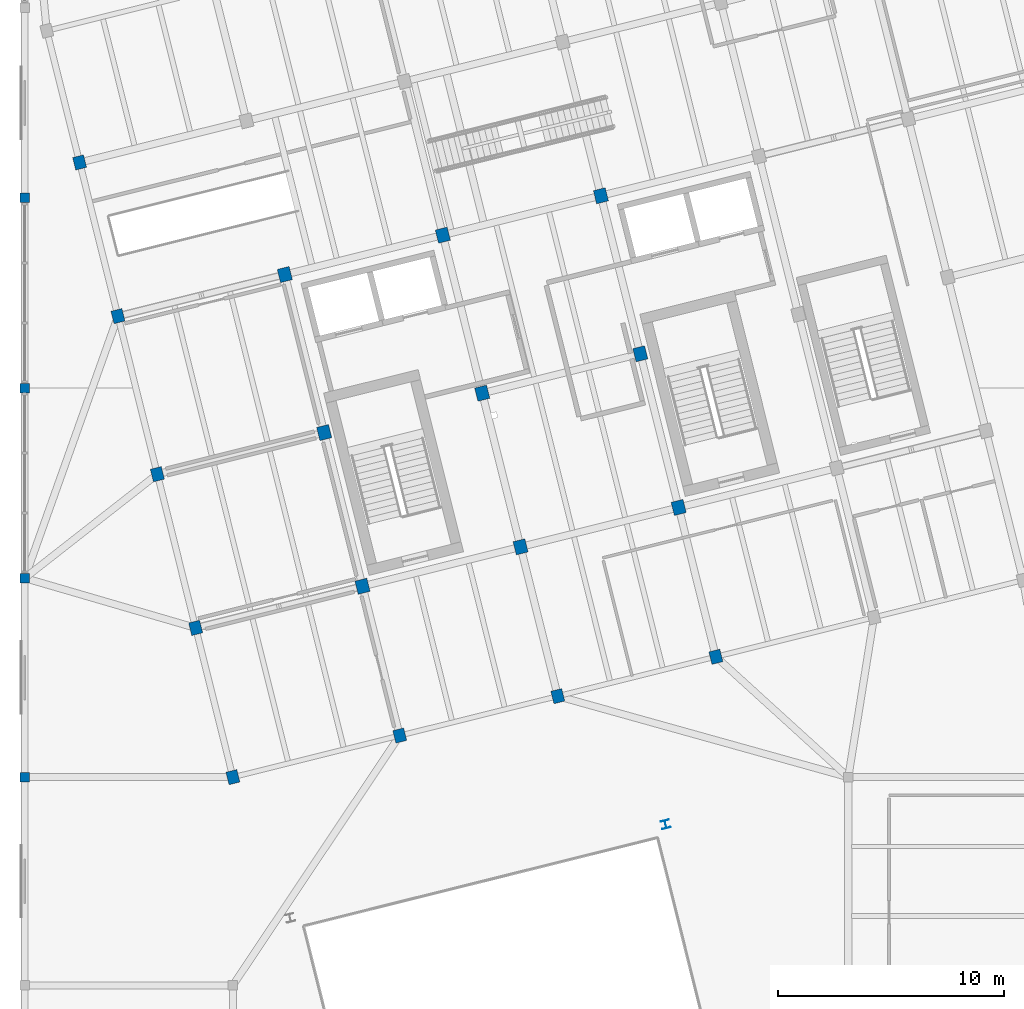
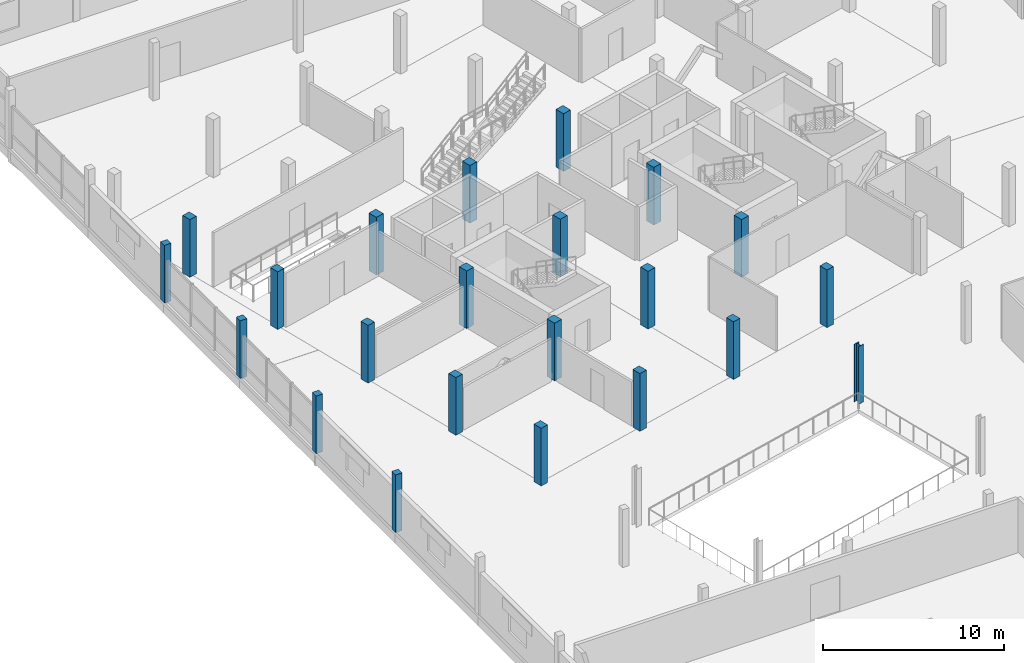
# One storey, part 3 of 47: 22 columns.
"""IFC4 building model written with IfcOpenShell, lengths in metres."""

import ifcopenshell
import ifcopenshell.guid

model = None  # the IFC model being written
_history = None  # IfcOwnerHistory: only IFC2X3 demands one
_inside = {}  # id of a spatial element -> (the spatial element, [elements in it])
_under = {}  # id of a project, library or spatial element -> (it, [spatial elements below it])
_declared = {}  # id of a project -> (the project, [libraries it declares])
_typed = {}  # id of a type object -> (the type object, [elements of that type])
_made_of = {}  # id of a material, layer set ... -> (it, [elements and type objects made of it])


def new_model(schema):
    """Start an empty IFC model of exactly this schema.

    Asked for "IFC4X3", IfcOpenShell would pick the latest addendum, in which some entities
    have other attributes; the version numbers below select the first issue.
    IFC2X3 requires an IfcOwnerHistory on every rooted entity: one is made here for all.
    """
    global model, _history
    if schema == "IFC4X3":
        model = ifcopenshell.file(schema_version=(4, 3, 0, 0))
    else:
        model = ifcopenshell.file(schema=schema)
    _inside.clear()
    _under.clear()
    _declared.clear()
    _typed.clear()
    _made_of.clear()
    _history = None
    if model.schema == "IFC2X3":
        org = make("IfcOrganization", Name="unknown")
        user = make(
            "IfcPersonAndOrganization",
            ThePerson=make("IfcPerson", FamilyName="unknown"),
            TheOrganization=org,
        )
        app = make(
            "IfcApplication",
            ApplicationDeveloper=org,
            Version="unknown",
            ApplicationFullName="unknown",
            ApplicationIdentifier="unknown",
        )
        _history = make(
            "IfcOwnerHistory",
            OwningUser=user,
            OwningApplication=app,
            ChangeAction="ADDED",
            CreationDate=0,
        )
    return model


def make(cls, **values):
    """One entity of the class cls with the attributes given. An attribute that is None is left unset."""
    return model.create_entity(
        cls, **{name: value for name, value in values.items() if value is not None}
    )


def rooted(cls, **values):
    """An entity with a GlobalId (a new one), such as an element, a storey or a relation."""
    return make(cls, GlobalId=ifcopenshell.guid.new(), OwnerHistory=_history, **values)


def si_unit(unit_type, name, prefix=None):
    """IfcSIUnit, for example si_unit("LENGTHUNIT", "METRE", prefix="MILLI")."""
    return make("IfcSIUnit", UnitType=unit_type, Prefix=prefix, Name=name)


def assignment(units):
    """IfcUnitAssignment: the units of a project."""
    return None if units is None else make("IfcUnitAssignment", Units=units)


def point(xyz):
    """IfcCartesianPoint."""
    return None if xyz is None else make("IfcCartesianPoint", Coordinates=xyz)


def direction(xyz):
    """IfcDirection."""
    return None if xyz is None else make("IfcDirection", DirectionRatios=xyz)


def frame(location, z_axis=None, x_axis=None):
    """IfcAxis2Placement3D, a coordinate frame: its origin and axes. An axis left out is left unset."""
    return make(
        "IfcAxis2Placement3D",
        Location=point(location),
        Axis=direction(z_axis),
        RefDirection=direction(x_axis),
    )


def frame_2d(location, x_axis=None):
    """IfcAxis2Placement2D, a coordinate frame in the plane: its origin and x axis."""
    return make(
        "IfcAxis2Placement2D", Location=point(location), RefDirection=direction(x_axis)
    )


def origin():
    """The frame at (0, 0, 0) with its axes left unset."""
    return frame((0.0, 0.0, 0.0))


def origin_2d():
    """The frame at (0, 0) in the plane with its x axis left unset."""
    return frame_2d((0.0, 0.0))


def place(relative_to, where):
    """IfcLocalPlacement: puts the frame where relative to a parent placement (None: the world)."""
    return make(
        "IfcLocalPlacement", PlacementRelTo=relative_to, RelativePlacement=where
    )


def context(
    kind, dimensions, precision=None, world=None, true_north=None, identifier=None
):
    """IfcGeometricRepresentationContext, for example the 3D "Model" context."""
    return make(
        "IfcGeometricRepresentationContext",
        ContextIdentifier=identifier,
        ContextType=kind,
        CoordinateSpaceDimension=dimensions,
        Precision=precision,
        WorldCoordinateSystem=world,
        TrueNorth=true_north,
    )


def subcontext(parent, identifier, kind, view, scale=None):
    """IfcGeometricRepresentationSubContext, for example "Body" below "Model"."""
    return make(
        "IfcGeometricRepresentationSubContext",
        ContextIdentifier=identifier,
        ContextType=kind,
        ParentContext=parent,
        TargetScale=scale,
        TargetView=view,
    )


def project(units=None, contexts=None):
    """IfcProject with its units and contexts."""
    return rooted(
        "IfcProject",
        Name="project",
        RepresentationContexts=contexts,
        UnitsInContext=assignment(units),
    )


def spatial(cls, under=None, at=None, **own):
    """A site, building, storey or space (cls), placed at a placement, below another one or the project."""
    s = rooted(cls, ObjectPlacement=at, **own)
    if under is not None:
        _under.setdefault(under.id(), (under, []))[1].append(s)
    return s


def profile(cls, at=None, kind="AREA", **sizes):
    """A parametric profile (cls). Its sizes go by their IFC names, for example OverallWidth=200.0."""
    return make(cls, ProfileType=kind, Position=at, **sizes)


def rectangle(**sizes):
    """IfcRectangleProfileDef."""
    return profile("IfcRectangleProfileDef", **sizes)


def i_section(**sizes):
    """IfcIShapeProfileDef."""
    return profile("IfcIShapeProfileDef", **sizes)


def extrude(swept, where, along, depth):
    """IfcExtrudedAreaSolid: the profile swept, set in the frame where, extruded along a direction by depth."""
    return make(
        "IfcExtrudedAreaSolid",
        SweptArea=swept,
        Position=where,
        ExtrudedDirection=direction(along),
        Depth=depth,
    )


def shape(context_of_items, identifier, shape_type, items):
    """IfcShapeRepresentation: the items that make up one representation, for example the "Body"."""
    return make(
        "IfcShapeRepresentation",
        ContextOfItems=context_of_items,
        RepresentationIdentifier=identifier,
        RepresentationType=shape_type,
        Items=items,
    )


def material(Name=None, Category=None):
    """IfcMaterial."""
    return make("IfcMaterial", Name=Name, Category=Category)


def material_profile(
    of_material, cross_section, Name=None, Category=None, Priority=None
):
    """IfcMaterialProfile: a cross section and its material."""
    return make(
        "IfcMaterialProfile",
        Name=Name,
        Material=of_material,
        Profile=cross_section,
        Priority=Priority,
        Category=Category,
    )


def profile_set(profiles, Name=None, composite=None):
    """IfcMaterialProfileSet."""
    return make(
        "IfcMaterialProfileSet",
        Name=Name,
        MaterialProfiles=profiles,
        CompositeProfile=composite,
    )


def made_of(thing, what):
    """Note that an element or type object is made of a material, layer set ...; save() writes the relation."""
    if what is not None:
        _made_of.setdefault(what.id(), (what, []))[1].append(thing)
    return thing


def type_object(cls, material=None, **own):
    """A type object (cls), such as IfcWallType, which elements share."""
    return made_of(rooted(cls, **own), material)


def element(
    cls,
    number,
    at=None,
    inside=None,
    cuts=None,
    type_object=None,
    material=None,
    context=None,
    identifier="Body",
    shape_type=None,
    held_by="IfcProductDefinitionShape",
    body=None,
    shapes=None,
    **own,
):
    """One element of the class cls, such as IfcWall. Its Tag is "e" and its number.

    at: its placement. inside: the storey or other place that contains it. cuts: it is an
    opening in that element (IfcRelVoidsElement). A single representation is given by context,
    identifier, shape_type and body (its items); several are given by shapes. held_by: the class
    of the entity that holds the representations. save() writes the other relations.
    """
    e = rooted(cls, Tag="e%d" % number, ObjectPlacement=at, **own)
    if body is not None:
        shapes = [shape(context, identifier, shape_type, body)]
    if shapes is not None:
        e.Representation = make(held_by, Representations=shapes)
    if inside is not None:
        _inside.setdefault(inside.id(), (inside, []))[1].append(e)
    if cuts is not None:
        rooted(
            "IfcRelVoidsElement", RelatingBuildingElement=cuts, RelatedOpeningElement=e
        )
    if type_object is not None:
        _typed.setdefault(type_object.id(), (type_object, []))[1].append(e)
    return made_of(e, material)


def aggregate(whole, parts):
    """IfcRelAggregates: a whole, such as a stair, and the parts it consists of."""
    return rooted("IfcRelAggregates", RelatingObject=whole, RelatedObjects=parts)


def save(model, path):
    """Write the relations noted so far, then the file.

    IfcRelAggregates (storeys below a building ...), IfcRelContainedInSpatialStructure (elements
    in a storey), IfcRelDefinesByType, IfcRelAssociatesMaterial and IfcRelDeclares: one each for
    every whole, place, type object, material and project.
    """
    for whole, parts in _under.values():
        aggregate(whole, parts)
    for where, things in _inside.values():
        rooted(
            "IfcRelContainedInSpatialStructure",
            RelatedElements=things,
            RelatingStructure=where,
        )
    for kind, things in _typed.values():
        rooted("IfcRelDefinesByType", RelatedObjects=things, RelatingType=kind)
    for what, things in _made_of.values():
        rooted("IfcRelAssociatesMaterial", RelatedObjects=things, RelatingMaterial=what)
    for by, libraries in _declared.values():
        rooted("IfcRelDeclares", RelatingContext=by, RelatedDefinitions=libraries)
    model.write(path)


model = new_model("IFC4")

# Units and contexts
model_context = context("Model", 3, precision=1e-05, world=origin(), true_north=direction((0.0, 1.0)))
body_context = subcontext(model_context, "Body", "Model", "MODEL_VIEW")
ifc_project = project(units=[si_unit("LENGTHUNIT", "METRE"), si_unit("AREAUNIT", "SQUARE_METRE"), si_unit("VOLUMEUNIT", "CUBIC_METRE"), si_unit("PLANEANGLEUNIT", "RADIAN"), si_unit("MASSUNIT", "GRAM", prefix="KILO")], contexts=[model_context])

# Site, building, storey
site_placement = place(None, origin())
site = spatial("IfcSite", under=ifc_project, at=site_placement, CompositionType="ELEMENT")
building_placement = place(site_placement, origin())
building = spatial("IfcBuilding", under=site, at=building_placement, Name="Meriwether Solvik Hall", CompositionType="ELEMENT")
storey_placement = place(building_placement, frame((0.0, 0.0, 18.300048828125)))
storey = spatial("IfcBuildingStorey", under=building, at=storey_placement, Name="L04", CompositionType="ELEMENT", Elevation=18.300048828125)

# Columns
ifc_material_1 = material(Name="Glulam Douglas-Fir L2 GL28c", Category="wood")
ifc_material_profile_1 = material_profile(ifc_material_1, rectangle(XDim=0.419921875, YDim=0.419921875, at=origin_2d()), Name="GLC-420X420")
ifc_profile_set_1 = profile_set([ifc_material_profile_1], Name="Glulam Douglas-Fir L2 GL28c")
column_type_1 = type_object("IfcColumnType", Name="COL-GL-420X420", PredefinedType="COLUMN", material=ifc_profile_set_1)
for number, where, z_axis, x_axis, name in (
    (1, (59.39990234375, 41.199951171875, 0.0), (0.0, 0.0, 1.0), (1.0, 0.0, 0.0), "Podium Column 7/E (L04)"),
    (2, (59.39990234375, 50.0, 0.0), (0.0, 0.0, 1.0), (1.0, 0.0, 0.0), "Podium Column 7/F (L04)"),
    (3, (59.39990234375, 58.39990234375, 0.0), (0.0, 0.0, 1.0), (1.0, 0.0, 0.0), "Podium Column 7/G (L04)"),
    (4, (59.39990234375, 66.800048828125, 0.0), (0.0, 0.0, 1.0), (1.0, 0.0, 0.0), "Podium Column 7/H (L04)"),
):
    element("IfcColumn", number, at=place(storey_placement, frame(where, z_axis=z_axis, x_axis=x_axis)), inside=storey, type_object=column_type_1, Name=name, PredefinedType="COLUMN", context=body_context, shape_type="SweptSolid", body=[
        extrude(rectangle(XDim=0.419921875, YDim=0.419921875, at=origin_2d()), origin(), (0.0, 0.0, 1.0), 3.89990234375),
    ])
ifc_material_2 = material(Name="Glulam Douglas-Fir L2 GL28c", Category="wood")
ifc_material_profile_2 = material_profile(ifc_material_2, rectangle(XDim=0.4951171875, YDim=0.570068359375, at=origin_2d()), Name="GLC-495X570")
ifc_profile_set_2 = profile_set([ifc_material_profile_2], Name="Glulam Douglas-Fir L2 GL28c")
column_type_2 = type_object("IfcColumnType", Name="COL-GL-495X570", PredefinedType="COLUMN", material=ifc_profile_set_2)
for number, where, z_axis, x_axis, name in (
    (5, (68.60009765625, 41.199951171875, 0.0), (0.0, 0.0, 1.0), (0.970295726276, 0.2419218956, 0.0), "Tower Column T1/TA (L04)"),
    (6, (66.954833984375, 47.798095703125, 0.0), (0.0, 0.0, 1.0), (0.970295726276, 0.2419218956, 0.0), "Tower Column T1/TB (L04)"),
    (7, (65.261474609375, 54.590087890625, 0.0), (0.0, 0.0, 1.0), (0.970295726276, 0.2419218956, 0.0), "Tower Column T1/TC (L04)"),
    (8, (63.51953125, 61.576171875, 0.0), (0.0, 0.0, 1.0), (0.970295726276, 0.2419218956, 0.0), "Tower Column T1/TD (L04)"),
    (9, (61.826171875, 68.3681640625, 0.0), (0.0, 0.0, 1.0), (0.970295726276, 0.2419218956, 0.0), "Tower Column T1/TE (L04)"),
    (10, (75.974365234375, 43.03857421875, 0.0), (0.0, 0.0, 1.0), (0.970295726276, 0.2419218956, 0.0), "Tower Column T2/TA (L04)"),
    (11, (82.96044921875, 44.780517578125, 0.0), (0.0, 0.0, 1.0), (0.970295726276, 0.2419218956, 0.0), "Tower Column T3/TA (L04)"),
    (12, (89.946533203125, 46.522216796875, 0.0), (0.0, 0.0, 1.0), (0.970295726276, 0.2419218956, 0.0), "Tower Column T4/TA (L04)"),
):
    element("IfcColumn", number, at=place(storey_placement, frame(where, z_axis=z_axis, x_axis=x_axis)), inside=storey, type_object=column_type_2, Name=name, PredefinedType="COLUMN", context=body_context, shape_type="SweptSolid", body=[
        extrude(rectangle(XDim=0.4951171875, YDim=0.570068359375, at=origin_2d()), origin(), (0.0, 0.0, 1.0), 3.89990234375),
    ])
ifc_material_3 = material(Name="Glulam Douglas-Fir L2 GL28c", Category="wood")
ifc_material_profile_3 = material_profile(ifc_material_3, rectangle(XDim=0.5400390625, YDim=0.60009765625, at=origin_2d()), Name="GLC-540X600")
ifc_profile_set_3 = profile_set([ifc_material_profile_3], Name="Glulam Douglas-Fir L2 GL28c")
column_type_3 = type_object("IfcColumnType", Name="COL-GL-540X600", PredefinedType="COLUMN", material=ifc_profile_set_3)
for number, where, z_axis, x_axis, name in (
    (13, (74.3291015625, 49.63671875, 0.0), (0.0, 0.0, 1.0), (0.970295726276, 0.2419218956, 0.0), "Tower Column T2/TB (L04)"),
    (14, (72.6357421875, 56.4287109375, 0.0), (0.0, 0.0, 1.0), (0.970295726276, 0.2419218956, 0.0), "Tower Column T2/TC (L04)"),
    (15, (70.893798828125, 63.414794921875, 0.0), (0.0, 0.0, 1.0), (0.970295726276, 0.2419218956, 0.0), "Tower Column T2/TD (L04)"),
    (16, (81.3154296875, 51.37841796875, 0.0), (0.0, 0.0, 1.0), (0.970295726276, 0.2419218956, 0.0), "Tower Column T3/TB (L04)"),
    (17, (79.621826171875, 58.17041015625, 0.0), (0.0, 0.0, 1.0), (0.970295726276, 0.2419218956, 0.0), "Tower Column T3/TC (L04)"),
    (18, (77.880126953125, 65.15673828125, 0.0), (0.0, 0.0, 1.0), (0.970295726276, 0.2419218956, 0.0), "Tower Column T3/TD (L04)"),
    (19, (88.301513671875, 53.120361328125, 0.0), (0.0, 0.0, 1.0), (0.970295726276, 0.2419218956, 0.0), "Tower Column T4/TB (L04)"),
    (20, (86.60791015625, 59.912353515625, 0.0), (0.0, 0.0, 1.0), (0.970295726276, 0.2419218956, 0.0), "Tower Column T4/TC (L04)"),
    (21, (84.8662109375, 66.8984375, 0.0), (0.0, 0.0, 1.0), (0.970295726276, 0.2419218956, 0.0), "Tower Column T4/TD (L04)"),
):
    element("IfcColumn", number, at=place(storey_placement, frame(where, z_axis=z_axis, x_axis=x_axis)), inside=storey, type_object=column_type_3, Name=name, PredefinedType="COLUMN", context=body_context, shape_type="SweptSolid", body=[
        extrude(rectangle(XDim=0.5400390625, YDim=0.60009765625, at=origin_2d()), origin(), (0.0, 0.0, 1.0), 3.89990234375),
    ])
ifc_material_4 = material(Name="Steel A992 Grade 50", Category="steel")
ifc_material_profile_4 = material_profile(ifc_material_4, i_section(OverallWidth=0.368896484375, OverallDepth=0.35595703125, WebThickness=0.01123046875, FlangeThickness=0.01806640625, at=origin_2d()), Name="W14X90")
ifc_profile_set_4 = profile_set([ifc_material_profile_4], Name="Steel A992 Grade 50")
column_type_4 = type_object("IfcColumnType", Name="COL-STL-W14X90", PredefinedType="COLUMN", material=ifc_profile_set_4)
column_placement = place(storey_placement, frame((87.72265625, 39.1142578125, 0.0), z_axis=(0.0, 0.0, 1.0), x_axis=(0.970295726276, 0.2419218956, 0.0)))
element("IfcColumn", 22, at=column_placement, inside=storey, type_object=column_type_4, Name="Atrium Cleft Corner Column NE (L04)", PredefinedType="COLUMN", context=body_context, shape_type="SweptSolid", body=[
    extrude(i_section(OverallWidth=0.368896484375, OverallDepth=0.35595703125, WebThickness=0.01123046875, FlangeThickness=0.01806640625, at=origin_2d()), origin(), (0.0, 0.0, 1.0), 3.89990234375),
])

save(model, "model.ifc")
